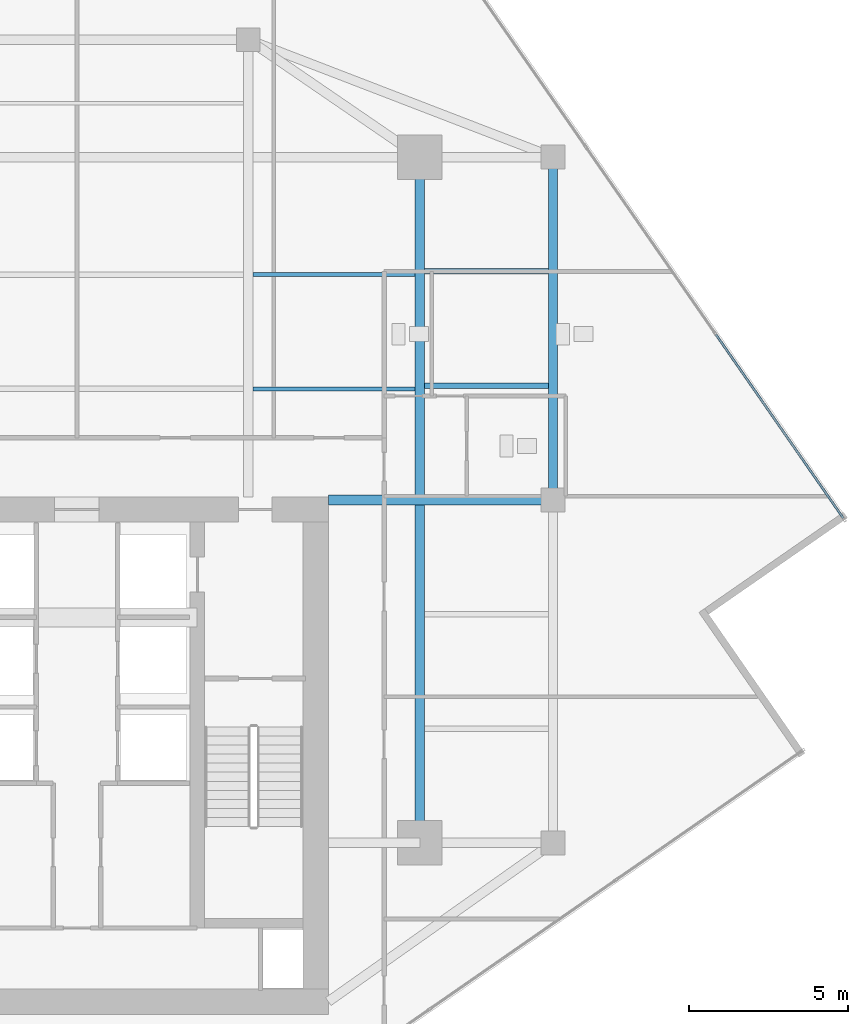
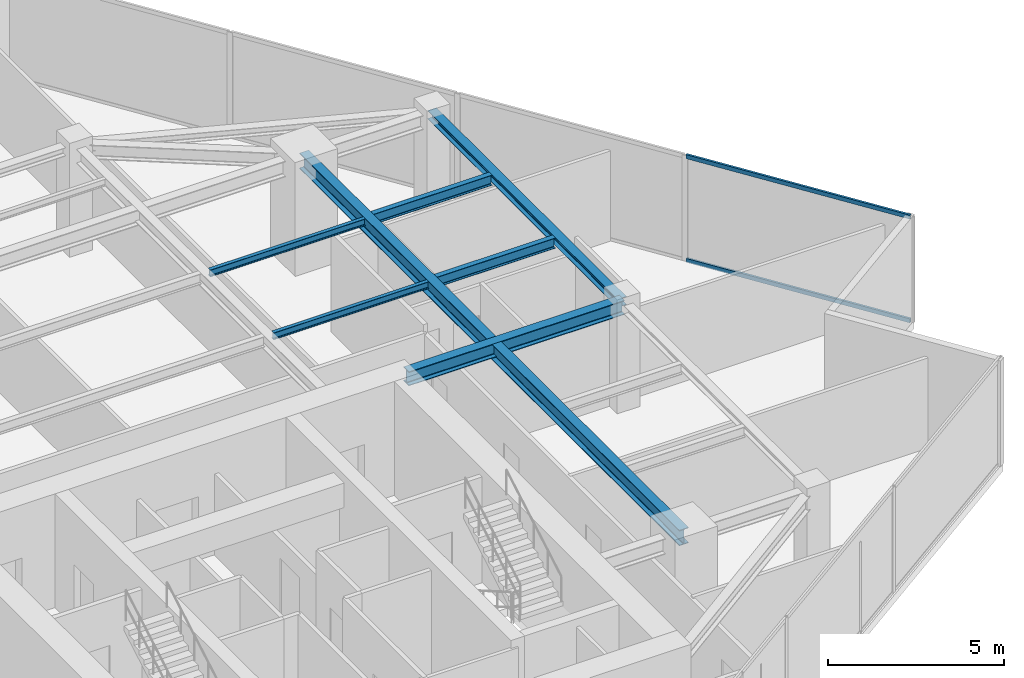
# One storey, part 10 of 21: 7 beams, 2 members, 1 element without a shape of its own.
"""IFC4 building model written with IfcOpenShell, lengths in metres."""

from ifc_helpers import new_model, si_unit, direction, frame, origin, origin_2d, place, context, subcontext, project, spatial, hollow_rectangle, i_section, extrude, source, transform, mapped, material, material_profile, profile_set, type_object, type_shapes, element, aggregate, save


model = new_model("IFC4")

# Units and contexts
model_context = context("Model", 3, precision=1e-05, world=origin(), true_north=direction((0.0, 1.0)))
body_context = subcontext(model_context, "Body", "Model", "MODEL_VIEW")
ifc_project = project(units=[si_unit("LENGTHUNIT", "METRE"), si_unit("AREAUNIT", "SQUARE_METRE"), si_unit("VOLUMEUNIT", "CUBIC_METRE"), si_unit("PLANEANGLEUNIT", "RADIAN"), si_unit("MASSUNIT", "GRAM", prefix="KILO")], contexts=[model_context])

# Site, building, storey
site_placement = place(None, origin())
site = spatial("IfcSite", under=ifc_project, at=site_placement, CompositionType="ELEMENT")
building_placement = place(site_placement, origin())
building = spatial("IfcBuilding", under=site, at=building_placement, Name="Krantzveldt Concourse Tower", CompositionType="ELEMENT")
storey_placement = place(building_placement, frame((0.0, 0.0, 275.300048828125)))
storey = spatial("IfcBuildingStorey", under=building, at=storey_placement, Name="L67", CompositionType="ELEMENT", Elevation=275.300048828125)

# Beams
ifc_material_1 = material(Name="Steel S355JR", Category="steel")
ifc_material_profile_1 = material_profile(ifc_material_1, i_section(OverallWidth=0.300048828125, OverallDepth=0.489990234375, WebThickness=0.011962890625, FlangeThickness=0.02294921875, FilletRadius=0.027099609375, at=origin_2d()), Name="Steel S355JR", Category="steel")
ifc_profile_set_1 = profile_set([ifc_material_profile_1], Name="Steel S355JR - HEA 500")
beam_type_1 = type_object("IfcBeamType", Name="BM-B-HEA500", PredefinedType="BEAM", material=ifc_profile_set_1)
shared_shape_1 = source(origin(), body_context, "Body", "SweptSolid", [
    extrude(i_section(OverallWidth=0.300048828125, OverallDepth=0.489990234375, WebThickness=0.011962890625, FlangeThickness=0.02294921875, FilletRadius=0.027099609375, at=origin_2d()), origin(), (0.0, 0.0, 1.0), 7.080078125),
])
type_shapes(beam_type_1, [shared_shape_1])
beam_1_placement = place(storey_placement, frame((43.919921875, 26.699951171875, 3.425048828125), z_axis=(1.0, 0.0, 0.0), x_axis=(0.0, 1.0, 0.0)))
element("IfcBeam", 1, at=beam_1_placement, inside=storey, type_object=beam_type_1, Name="L67 Tower Girder BG-CE2", PredefinedType="BEAM", context=body_context, shape_type="MappedRepresentation", body=[
    mapped(shared_shape_1, transform((0.0, 0.0, 0.0), x_axis=(1.0, 0.0, 0.0), y_axis=(0.0, 1.0, 0.0), z_axis=(0.0, 0.0, 1.0), scale=1.0)),
])
ifc_material_profile_2 = material_profile(ifc_material_1, i_section(OverallWidth=0.300048828125, OverallDepth=0.5400390625, WebThickness=0.012451171875, FlangeThickness=0.02392578125, FilletRadius=0.027099609375, at=origin_2d()), Name="Steel S355JR", Category="steel")
ifc_profile_set_2 = profile_set([ifc_material_profile_2], Name="Steel S355JR - HEA 550")
beam_type_2 = type_object("IfcBeamType", Name="BM-B-HEA550", PredefinedType="BEAM", material=ifc_profile_set_2)
shared_shape_2 = source(origin(), body_context, "Body", "SweptSolid", [
    extrude(i_section(OverallWidth=0.300048828125, OverallDepth=0.5400390625, WebThickness=0.012451171875, FlangeThickness=0.02392578125, FilletRadius=0.027099609375, at=origin_2d()), origin(), (0.0, 0.0, 1.0), 21.60009765625),
])
type_shapes(beam_type_2, [shared_shape_2])
beam_2_placement = place(storey_placement, frame((46.800048828125, 15.89990234375, 3.39990234375), z_axis=(0.0, 1.0, 0.0), x_axis=(-1.0, 0.0, 0.0)))
element("IfcBeam", 2, at=beam_2_placement, inside=storey, type_object=beam_type_2, Name="L67 Tower Girder BG-ME", PredefinedType="BEAM", context=body_context, shape_type="MappedRepresentation", body=[
    mapped(shared_shape_2, transform((0.0, 0.0, 0.0), x_axis=(1.0, 0.0, 0.0), y_axis=(0.0, 1.0, 0.0), z_axis=(0.0, 0.0, 1.0), scale=1.0)),
])
ifc_material_profile_3 = material_profile(ifc_material_1, i_section(OverallWidth=0.2900390625, OverallDepth=0.2900390625, WebThickness=0.008544921875, FlangeThickness=0.013916015625, FilletRadius=0.027099609375, at=origin_2d()), Name="Steel S355JR", Category="steel")
ifc_profile_set_3 = profile_set([ifc_material_profile_3], Name="Steel S355JR - HEA 300")
beam_type_3 = type_object("IfcBeamType", Name="BM-SP-HEA300", PredefinedType="SPANDREL", material=ifc_profile_set_3)
shared_shape_3 = source(origin(), body_context, "Body", "SweptSolid", [
    extrude(i_section(OverallWidth=0.2900390625, OverallDepth=0.2900390625, WebThickness=0.008544921875, FlangeThickness=0.013916015625, FilletRadius=0.027099609375, at=origin_2d()), origin(), (0.0, 0.0, 1.0), 10.800048828125),
])
type_shapes(beam_type_3, [shared_shape_3])
beam_3_placement = place(storey_placement, frame((51.0, 37.5, 3.52490234375), z_axis=(0.0, -1.0, 0.0), x_axis=(1.0, 0.0, 0.0)))
element("IfcBeam", 3, at=beam_3_placement, inside=storey, type_object=beam_type_3, Name="L67 Tower Girder SP-R06", PredefinedType="SPANDREL", context=body_context, shape_type="MappedRepresentation", body=[
    mapped(shared_shape_3, transform((0.0, 0.0, 0.0), x_axis=(1.0, 0.0, 0.0), y_axis=(0.0, 1.0, 0.0), z_axis=(0.0, 0.0, 1.0), scale=1.0)),
])
ifc_material_profile_4 = material_profile(ifc_material_1, i_section(OverallWidth=0.1201171875, OverallDepth=0.239990234375, WebThickness=0.006103515625, FlangeThickness=0.009765625, FilletRadius=0.014892578125, at=origin_2d()), Name="Steel S355JR", Category="steel")
ifc_profile_set_4 = profile_set([ifc_material_profile_4], Name="Steel S355JR - IPE 240")
beam_type_4 = type_object("IfcBeamType", Name="BM-LN-IPE240", PredefinedType="LINTEL", material=ifc_profile_set_4)
shared_shape_4 = source(origin(), body_context, "Body", "SweptSolid", [
    extrude(i_section(OverallWidth=0.1201171875, OverallDepth=0.239990234375, WebThickness=0.006103515625, FlangeThickness=0.009765625, FilletRadius=0.014892578125, at=origin_2d()), origin(), (0.0, 0.0, 1.0), 5.099853515625),
])
type_shapes(beam_type_4, [shared_shape_4])
for number, where, z_axis, x_axis, name in (
    (4, (41.550048828125, 30.199951171875, 3.550048828125), (1.0, 0.0, 0.0), (0.0, 1.0, 0.0), "L67 Secondary Floor Joist JN-E1"),
    (5, (41.550048828125, 33.800048828125, 3.550048828125), (1.0, 0.0, 0.0), (0.0, 1.0, 0.0), "L67 Secondary Floor Joist JN-E2"),
):
    element("IfcBeam", number, at=place(storey_placement, frame(where, z_axis=z_axis, x_axis=x_axis)), inside=storey, type_object=beam_type_4, Name=name, PredefinedType="LINTEL", context=body_context, shape_type="MappedRepresentation", body=[
        mapped(shared_shape_4, transform((0.0, 0.0, 0.0), x_axis=(1.0, 0.0, 0.0), y_axis=(0.0, 1.0, 0.0), z_axis=(0.0, 0.0, 1.0), scale=1.0)),
    ])
ifc_material_profile_5 = material_profile(ifc_material_1, i_section(OverallWidth=0.169921875, OverallDepth=0.360107421875, WebThickness=0.008056640625, FlangeThickness=0.0126953125, FilletRadius=0.01806640625, at=origin_2d()), Name="Steel S355JR", Category="steel")
ifc_profile_set_5 = profile_set([ifc_material_profile_5], Name="Steel S355JR - IPE 360")
beam_type_5 = type_object("IfcBeamType", Name="BM-J-IPE360", PredefinedType="JOIST", material=ifc_profile_set_5)
shared_shape_5 = source(origin(), body_context, "Body", "SweptSolid", [
    extrude(i_section(OverallWidth=0.169921875, OverallDepth=0.360107421875, WebThickness=0.008056640625, FlangeThickness=0.0126953125, FilletRadius=0.01806640625, at=origin_2d()), origin(), (0.0, 0.0, 1.0), 3.900146484375),
])
type_shapes(beam_type_5, [shared_shape_5])
for number, where, z_axis, x_axis, name in (
    (6, (46.949951171875, 30.300048828125, 3.489990234375), (1.0, 0.0, 0.0), (0.0, 1.0, 0.0), "L67 Secondary Floor Joist JE-3"),
    (7, (46.949951171875, 33.89990234375, 3.489990234375), (1.0, 0.0, 0.0), (0.0, 1.0, 0.0), "L67 Secondary Floor Joist JE-4"),
):
    element("IfcBeam", number, at=place(storey_placement, frame(where, z_axis=z_axis, x_axis=x_axis)), inside=storey, type_object=beam_type_5, Name=name, PredefinedType="JOIST", context=body_context, shape_type="MappedRepresentation", body=[
        mapped(shared_shape_5, transform((0.0, 0.0, 0.0), x_axis=(1.0, 0.0, 0.0), y_axis=(0.0, 1.0, 0.0), z_axis=(0.0, 0.0, 1.0), scale=1.0)),
    ])

# Curtain wall, members
ifc_material_2 = material(Name="Anodised aluminium 6063-T6", Category="aluminium")
curtain_wall_type = type_object("IfcCurtainWallType", Name="CW4", PredefinedType="USERDEFINED", material=ifc_material_2)
curtain_wall_placement = place(storey_placement, origin())
curtain_wall = element("IfcCurtainWall", 8, at=curtain_wall_placement, inside=storey, type_object=curtain_wall_type, Name="CW-L67-F14", ObjectType="UNITISED CURTAIN WALL", PredefinedType="USERDEFINED")
ifc_material_profile_6 = material_profile(ifc_material_2, hollow_rectangle(XDim=0.070068359375, YDim=0.139892578125, WallThickness=0.0048828125, at=origin_2d()), Name="Anodised aluminium 6063-T6", Category="aluminium")
ifc_profile_set_6 = profile_set([ifc_material_profile_6], Name="Anodised aluminium 6063-T6 - ALU-TRAN 140x70x5")
member_type = type_object("IfcMemberType", Name="CW-TRN-150", PredefinedType="USERDEFINED", material=ifc_profile_set_6)
shared_shape_6 = source(origin(), body_context, "Body", "SweptSolid", [
    extrude(hollow_rectangle(XDim=0.070068359375, YDim=0.139892578125, WallThickness=0.0048828125, at=origin_2d()), origin(), (0.0, 0.0, 1.0), 7.044921875),
])
type_shapes(member_type, [shared_shape_6])
member_1_placement = place(storey_placement, frame((60.141357421875, 26.128662109375, 0.034912109375), z_axis=(-0.570008026718, 0.821639123629, 0.0), x_axis=(-0.821639123629, -0.570008026718, 0.0)))
member_1 = element("IfcMember", 9, at=member_1_placement, type_object=member_type, Name="CW-Z56 transom 1.1", ObjectType="TRANSOM", PredefinedType="USERDEFINED", context=body_context, shape_type="MappedRepresentation", body=[
    mapped(shared_shape_6, transform((0.0, 0.0, 0.0), x_axis=(1.0, 0.0, 0.0), y_axis=(0.0, 1.0, 0.0), z_axis=(0.0, 0.0, 1.0), scale=1.0)),
])
member_2_placement = place(storey_placement, frame((60.141357421875, 26.128662109375, 3.635009765625), z_axis=(-0.570008026718, 0.821639123629, 0.0), x_axis=(-0.821639123629, -0.570008026718, 0.0)))
member_2 = element("IfcMember", 10, at=member_2_placement, type_object=member_type, Name="CW-Z56 transom 1.2", ObjectType="TRANSOM", PredefinedType="USERDEFINED", context=body_context, shape_type="MappedRepresentation", body=[
    mapped(shared_shape_6, transform((0.0, 0.0, 0.0), x_axis=(1.0, 0.0, 0.0), y_axis=(0.0, 1.0, 0.0), z_axis=(0.0, 0.0, 1.0), scale=1.0)),
])
aggregate(curtain_wall, [member_1, member_2])

save(model, "model.ifc")
